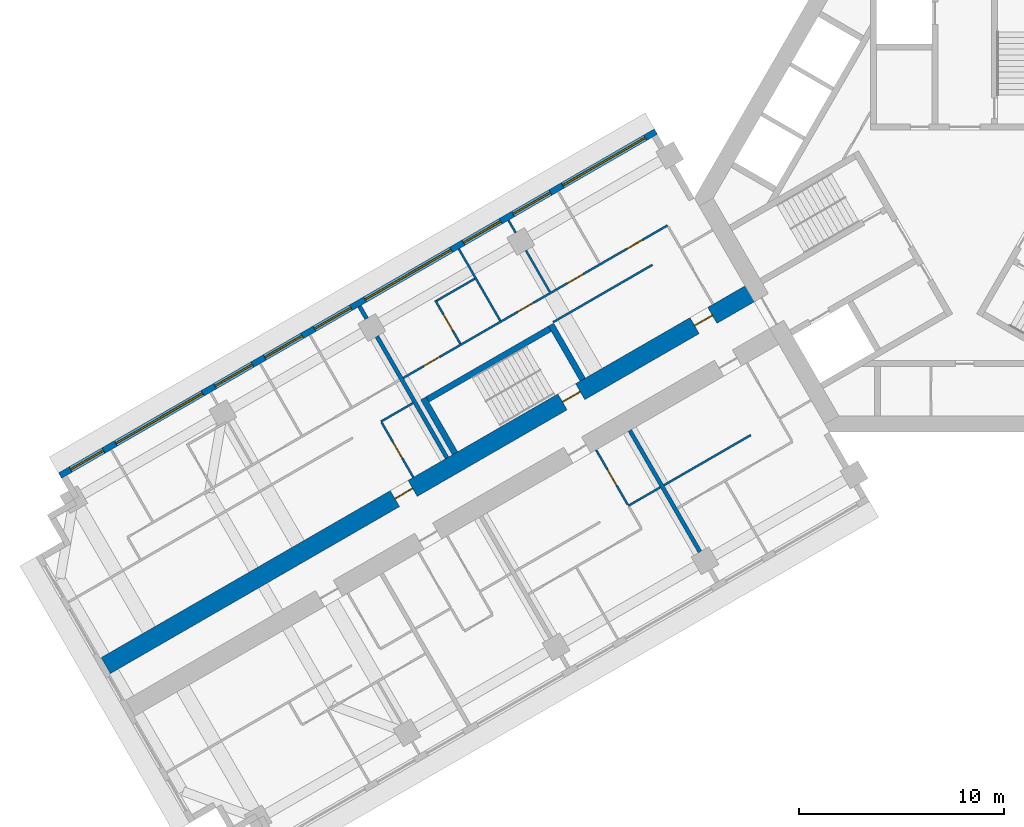
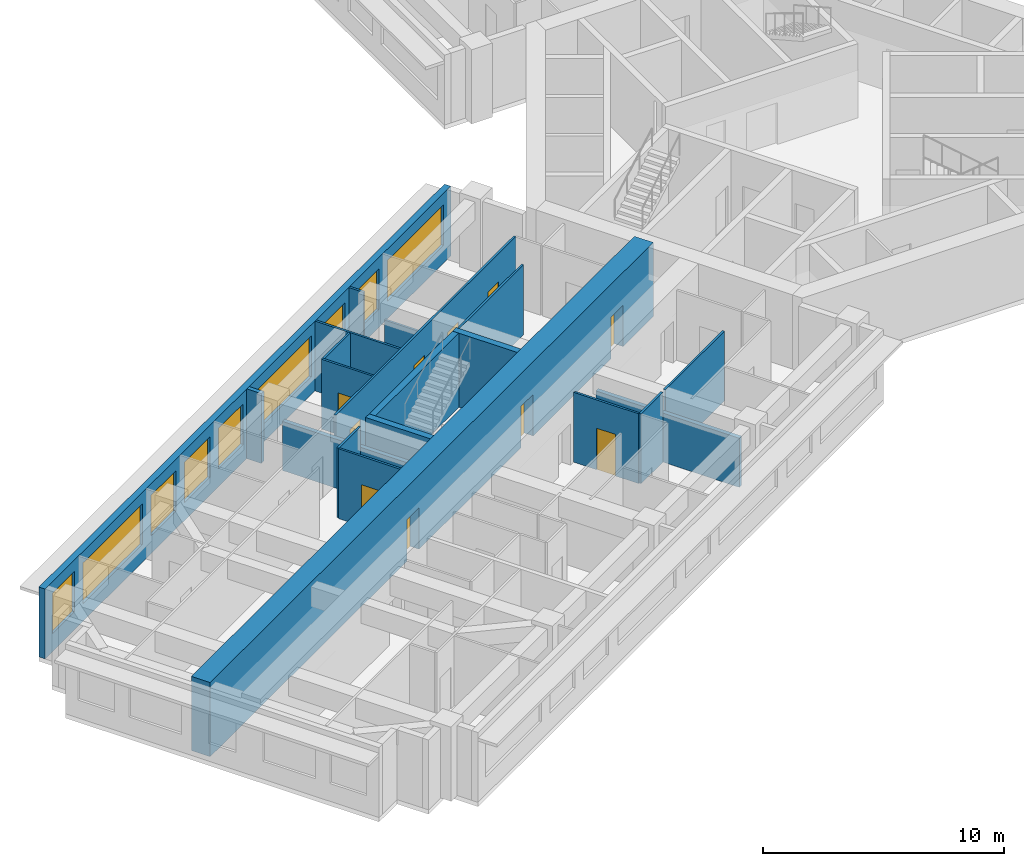
# One storey, part 5 of 14: 20 walls, 10 doors, 9 windows, 19 openings.
"""IFC4 building model written with IfcOpenShell, lengths in metres."""

from ifc_helpers import new_model, si_unit, direction, frame, frame_2d, origin, place, context, subcontext, project, spatial, rectangle, extrude, material, layer, layer_set, type_object, element, fill, save


model = new_model("IFC4")

# Units and contexts
model_context = context("Model", 3, precision=1e-05, world=origin(), true_north=direction((0.0, 1.0)))
body_context = subcontext(model_context, "Body", "Model", "MODEL_VIEW")
ifc_project = project(units=[si_unit("LENGTHUNIT", "METRE"), si_unit("AREAUNIT", "SQUARE_METRE"), si_unit("VOLUMEUNIT", "CUBIC_METRE"), si_unit("PLANEANGLEUNIT", "RADIAN"), si_unit("MASSUNIT", "GRAM", prefix="KILO")], contexts=[model_context])

# Site, building, storey
site_placement = place(None, origin())
site = spatial("IfcSite", under=ifc_project, at=site_placement, CompositionType="ELEMENT")
building_placement = place(site_placement, origin())
building = spatial("IfcBuilding", under=site, at=building_placement, Name="Impinga Residences", CompositionType="ELEMENT")
storey_placement = place(building_placement, frame((0.0, 0.0, 128.5)))
storey = spatial("IfcBuildingStorey", under=building, at=storey_placement, Name="L31", CompositionType="ELEMENT", Elevation=128.5)

# Wall, openings, doors
ifc_material_1 = material(Name="Concrete C60/75", Category="concrete")
ifc_layer_1 = layer(ifc_material_1, 0.89990234375)
ifc_layer_set_1 = layer_set([ifc_layer_1], Name="Concrete C60/75")
wall_type_1 = type_object("IfcWallType", Name="BW2 corridor buttress wall, L24 to L44 900", PredefinedType="SHEAR", material=ifc_layer_set_1)
wall_1_placement = place(storey_placement, frame((-10.153564453125, -4.4765625, 0.0), z_axis=(0.0, 0.0, 1.0), x_axis=(-0.866027614434, -0.499996171023, 0.0)))
wall_1 = element("IfcWall", 1, at=wall_1_placement, inside=storey, type_object=wall_type_1, Name="Corridor wall BW2 WD L31", PredefinedType="SHEAR", context=body_context, shape_type="SweptSolid", body=[
    extrude(rectangle(XDim=36.699951171875, YDim=0.89990234375, at=frame_2d((18.35009765625, 0.0))), origin(), (0.0, 0.0, 1.0), 3.75),
])
opening_1_placement = place(wall_1_placement, frame((9.949951171875, 0.0, 0.0)))
opening_1 = element("IfcOpeningElement", 2, at=opening_1_placement, cuts=wall_1, Name="Opening D5", PredefinedType="OPENING", context=body_context, shape_type="SweptSolid", body=[
    extrude(rectangle(XDim=1.0, YDim=2.10009765625, at=frame_2d((0.5, 1.050048828125))), frame((0.0, 0.4599609375, 0.0), z_axis=(0.0, -1.0, 0.0), x_axis=(1.0, 0.0, 0.0)), (0.0, 0.0, 1.0), 0.919921875),
])
opening_2_placement = place(wall_1_placement, frame((2.5, 0.0, 0.0)))
opening_2 = element("IfcOpeningElement", 3, at=opening_2_placement, cuts=wall_1, Name="Opening D1", PredefinedType="OPENING", context=body_context, shape_type="SweptSolid", body=[
    extrude(rectangle(XDim=1.0, YDim=2.10009765625, at=frame_2d((0.5, 1.050048828125))), frame((0.0, 0.4599609375, 0.0), z_axis=(0.0, -1.0, 0.0), x_axis=(1.0, 0.0, 0.0)), (0.0, 0.0, 1.0), 0.919921875),
])
opening_3_placement = place(wall_1_placement, frame((19.39990234375, 0.0, 0.0)))
opening_3 = element("IfcOpeningElement", 4, at=opening_3_placement, cuts=wall_1, Name="Opening D1", PredefinedType="OPENING", context=body_context, shape_type="SweptSolid", body=[
    extrude(rectangle(XDim=1.0, YDim=2.10009765625, at=frame_2d((0.5, 1.050048828125))), frame((0.0, 0.4599609375, 0.0), z_axis=(0.0, -1.0, 0.0), x_axis=(1.0, 0.0, 0.0)), (0.0, 0.0, 1.0), 0.919921875),
])
ifc_material_2 = material(Name="Timber door set", Category="wood")
door_type_1 = type_object("IfcDoorType", Name="D1 apartment entrance door 1000x2100", OperationType="SINGLE_SWING_LEFT", PredefinedType="DOOR", material=ifc_material_2)
door_1_placement = place(opening_2_placement, origin())
door_1 = element("IfcDoor", 5, at=door_1_placement, inside=storey, type_object=door_type_1, Name="Apartment L31-WF1 entrance", OperationType="SINGLE_SWING_LEFT", OverallHeight=2.10009765625, OverallWidth=1.0, PredefinedType="DOOR", context=body_context, shape_type="SweptSolid", body=[
    extrude(rectangle(XDim=1.0, YDim=2.10009765625, at=frame_2d((0.5, 1.050048828125))), frame((0.0, 0.02490234375, 0.0), z_axis=(0.0, -1.0, 0.0), x_axis=(1.0, 0.0, 0.0)), (0.0, 0.0, 1.0), 0.050048828125),
])
fill(opening_2, door_1)
door_2_placement = place(opening_3_placement, origin())
door_2 = element("IfcDoor", 6, at=door_2_placement, inside=storey, type_object=door_type_1, Name="Apartment L31-WF2 entrance", OperationType="SINGLE_SWING_RIGHT", OverallHeight=2.10009765625, OverallWidth=1.0, PredefinedType="DOOR", context=body_context, shape_type="SweptSolid", body=[
    extrude(rectangle(XDim=1.0, YDim=2.10009765625, at=frame_2d((0.5, 1.050048828125))), frame((0.0, 0.02490234375, 0.0), z_axis=(0.0, -1.0, 0.0), x_axis=(1.0, 0.0, 0.0)), (0.0, 0.0, 1.0), 0.050048828125),
])
fill(opening_3, door_2)
door_type_2 = type_object("IfcDoorType", Name="D5 stair door 1000x2100", OperationType="SINGLE_SWING_LEFT", PredefinedType="DOOR", material=ifc_material_2)
door_3_placement = place(opening_1_placement, origin())
door_3 = element("IfcDoor", 7, at=door_3_placement, inside=storey, type_object=door_type_2, Name="Wing stair door W", OperationType="SINGLE_SWING_LEFT", OverallHeight=2.10009765625, OverallWidth=1.0, PredefinedType="DOOR", context=body_context, shape_type="SweptSolid", body=[
    extrude(rectangle(XDim=1.0, YDim=2.10009765625, at=frame_2d((0.5, 1.050048828125))), frame((0.0, 0.02490234375, 0.0), z_axis=(0.0, -1.0, 0.0), x_axis=(1.0, 0.0, 0.0)), (0.0, 0.0, 1.0), 0.050048828125),
])
fill(opening_1, door_3)

# Wall, openings, windows
ifc_material_3 = material(Name="Terracotta rainscreen on blockwork", Category="masonry")
ifc_layer_2 = layer(ifc_material_3, 0.300048828125)
ifc_layer_set_2 = layer_set([ifc_layer_2], Name="EW1 external wall, terracotta rainscreen on blockwork 300")
wall_type_2 = type_object("IfcWallType", Name="EW1 external wall, terracotta rainscreen on blockwork 300", PredefinedType="SOLIDWALL", material=ifc_layer_set_2)
wall_2_placement = place(storey_placement, frame((-44.17333984375, -13.552490234375, 0.0), z_axis=(0.0, 0.0, 1.0), x_axis=(0.866024291668, 0.500001926238, 0.0)))
wall_2 = element("IfcWall", 8, at=wall_2_placement, inside=storey, type_object=wall_type_2, Name="External wall EW1 L31", PredefinedType="SOLIDWALL", context=body_context, shape_type="SweptSolid", body=[
    extrude(rectangle(XDim=33.599853515625, YDim=0.300048828125, at=frame_2d((16.7998046875, 0.0))), origin(), (0.0, 0.0, 1.0), 3.530029296875),
])
opening_4_placement = place(wall_2_placement, frame((0.60009765625, 0.0, 0.89990234375)))
opening_4 = element("IfcOpeningElement", 9, at=opening_4_placement, cuts=wall_2, Name="Opening W15", PredefinedType="OPENING", context=body_context, shape_type="SweptSolid", body=[
    extrude(rectangle(XDim=1.85009765625, YDim=2.050048828125, at=frame_2d((0.925048828125, 1.02490234375))), frame((0.0, 0.159912109375, 0.0), z_axis=(0.0, -1.0, 0.0), x_axis=(1.0, 0.0, 0.0)), (0.0, 0.0, 1.0), 0.320068359375),
])
opening_5_placement = place(wall_2_placement, frame((3.14990234375, 0.0, 0.89990234375)))
opening_5 = element("IfcOpeningElement", 10, at=opening_5_placement, cuts=wall_2, Name="Opening W16", PredefinedType="OPENING", context=body_context, shape_type="SweptSolid", body=[
    extrude(rectangle(XDim=4.89990234375, YDim=2.050048828125, at=frame_2d((2.449951171875, 1.02490234375))), frame((0.0, 0.159912109375, 0.0), z_axis=(0.0, -1.0, 0.0), x_axis=(1.0, 0.0, 0.0)), (0.0, 0.0, 1.0), 0.320068359375),
])
opening_6_placement = place(wall_2_placement, frame((8.75, 0.0, 0.89990234375)))
opening_6 = element("IfcOpeningElement", 11, at=opening_6_placement, cuts=wall_2, Name="Opening W9", PredefinedType="OPENING", context=body_context, shape_type="SweptSolid", body=[
    extrude(rectangle(XDim=2.10009765625, YDim=2.050048828125, at=frame_2d((1.050048828125, 1.02490234375))), frame((0.0, 0.159912109375, 0.0), z_axis=(0.0, -1.0, 0.0), x_axis=(1.0, 0.0, 0.0)), (0.0, 0.0, 1.0), 0.320068359375),
])
opening_7_placement = place(wall_2_placement, frame((11.550048828125, 0.0, 0.89990234375)))
opening_7 = element("IfcOpeningElement", 12, at=opening_7_placement, cuts=wall_2, Name="Opening W9", PredefinedType="OPENING", context=body_context, shape_type="SweptSolid", body=[
    extrude(rectangle(XDim=2.10009765625, YDim=2.050048828125, at=frame_2d((1.050048828125, 1.02490234375))), frame((0.0, 0.159912109375, 0.0), z_axis=(0.0, -1.0, 0.0), x_axis=(1.0, 0.0, 0.0)), (0.0, 0.0, 1.0), 0.320068359375),
])
opening_8_placement = place(wall_2_placement, frame((14.35009765625, 0.0, 0.89990234375)))
opening_8 = element("IfcOpeningElement", 13, at=opening_8_placement, cuts=wall_2, Name="Opening W14", PredefinedType="OPENING", context=body_context, shape_type="SweptSolid", body=[
    extrude(rectangle(XDim=2.050048828125, YDim=2.050048828125, at=frame_2d((1.02490234375, 1.02490234375))), frame((0.0, 0.159912109375, 0.0), z_axis=(0.0, -1.0, 0.0), x_axis=(1.0, 0.0, 0.0)), (0.0, 0.0, 1.0), 0.320068359375),
])
opening_9_placement = place(wall_2_placement, frame((17.199951171875, 0.0, 0.89990234375)))
opening_9 = element("IfcOpeningElement", 14, at=opening_9_placement, cuts=wall_2, Name="Opening W6", PredefinedType="OPENING", context=body_context, shape_type="SweptSolid", body=[
    extrude(rectangle(XDim=4.85009765625, YDim=2.050048828125, at=frame_2d((2.425048828125, 1.02490234375))), frame((0.0, 0.159912109375, 0.0), z_axis=(0.0, -1.0, 0.0), x_axis=(1.0, 0.0, 0.0)), (0.0, 0.0, 1.0), 0.320068359375),
])
opening_10_placement = place(wall_2_placement, frame((22.75, 0.0, 0.89990234375)))
opening_10 = element("IfcOpeningElement", 15, at=opening_10_placement, cuts=wall_2, Name="Opening W9", PredefinedType="OPENING", context=body_context, shape_type="SweptSolid", body=[
    extrude(rectangle(XDim=2.10009765625, YDim=2.050048828125, at=frame_2d((1.050048828125, 1.02490234375))), frame((0.0, 0.159912109375, 0.0), z_axis=(0.0, -1.0, 0.0), x_axis=(1.0, 0.0, 0.0)), (0.0, 0.0, 1.0), 0.320068359375),
])
opening_11_placement = place(wall_2_placement, frame((25.550048828125, 0.0, 0.89990234375)))
opening_11 = element("IfcOpeningElement", 16, at=opening_11_placement, cuts=wall_2, Name="Opening W9", PredefinedType="OPENING", context=body_context, shape_type="SweptSolid", body=[
    extrude(rectangle(XDim=2.10009765625, YDim=2.050048828125, at=frame_2d((1.050048828125, 1.02490234375))), frame((0.0, 0.159912109375, 0.0), z_axis=(0.0, -1.0, 0.0), x_axis=(1.0, 0.0, 0.0)), (0.0, 0.0, 1.0), 0.320068359375),
])
opening_12_placement = place(wall_2_placement, frame((28.35009765625, 0.0, 0.89990234375)))
opening_12 = element("IfcOpeningElement", 17, at=opening_12_placement, cuts=wall_2, Name="Opening W10", PredefinedType="OPENING", context=body_context, shape_type="SweptSolid", body=[
    extrude(rectangle(XDim=4.64990234375, YDim=2.050048828125, at=frame_2d((2.324951171875, 1.02490234375))), frame((0.0, 0.159912109375, 0.0), z_axis=(0.0, -1.0, 0.0), x_axis=(1.0, 0.0, 0.0)), (0.0, 0.0, 1.0), 0.320068359375),
])
ifc_material_4 = material(Name="Aluminium window, clear double glazing", Category="aluminium")
window_type_1 = type_object("IfcWindowType", Name="W10 ribbon window 4650x2050", PartitioningType="SINGLE_PANEL", PredefinedType="WINDOW", material=ifc_material_4)
window_1_placement = place(opening_12_placement, origin())
window_1 = element("IfcWindow", 18, at=window_1_placement, inside=storey, type_object=window_type_1, Name="Window L31", OverallHeight=2.050048828125, OverallWidth=4.64990234375, PartitioningType="SINGLE_PANEL", PredefinedType="WINDOW", context=body_context, shape_type="SweptSolid", body=[
    extrude(rectangle(XDim=4.64990234375, YDim=2.050048828125, at=frame_2d((2.324951171875, 1.02490234375))), frame((0.0, 0.030029296875, 0.0), z_axis=(0.0, -1.0, 0.0), x_axis=(1.0, 0.0, 0.0)), (0.0, 0.0, 1.0), 0.06005859375),
])
fill(opening_12, window_1)
window_type_2 = type_object("IfcWindowType", Name="W14 ribbon window 2050x2050", PartitioningType="SINGLE_PANEL", PredefinedType="WINDOW", material=ifc_material_4)
window_2_placement = place(opening_8_placement, origin())
window_2 = element("IfcWindow", 19, at=window_2_placement, inside=storey, type_object=window_type_2, Name="Window L31", OverallHeight=2.050048828125, OverallWidth=2.050048828125, PartitioningType="SINGLE_PANEL", PredefinedType="WINDOW", context=body_context, shape_type="SweptSolid", body=[
    extrude(rectangle(XDim=2.050048828125, YDim=2.050048828125, at=frame_2d((1.02490234375, 1.02490234375))), frame((0.0, 0.030029296875, 0.0), z_axis=(0.0, -1.0, 0.0), x_axis=(1.0, 0.0, 0.0)), (0.0, 0.0, 1.0), 0.06005859375),
])
fill(opening_8, window_2)
window_type_3 = type_object("IfcWindowType", Name="W15 ribbon window 1850x2050", PartitioningType="SINGLE_PANEL", PredefinedType="WINDOW", material=ifc_material_4)
window_3_placement = place(opening_4_placement, origin())
window_3 = element("IfcWindow", 20, at=window_3_placement, inside=storey, type_object=window_type_3, Name="Window L31", OverallHeight=2.050048828125, OverallWidth=1.85009765625, PartitioningType="SINGLE_PANEL", PredefinedType="WINDOW", context=body_context, shape_type="SweptSolid", body=[
    extrude(rectangle(XDim=1.85009765625, YDim=2.050048828125, at=frame_2d((0.925048828125, 1.02490234375))), frame((0.0, 0.030029296875, 0.0), z_axis=(0.0, -1.0, 0.0), x_axis=(1.0, 0.0, 0.0)), (0.0, 0.0, 1.0), 0.06005859375),
])
fill(opening_4, window_3)
window_type_4 = type_object("IfcWindowType", Name="W16 ribbon window 4900x2050", PartitioningType="SINGLE_PANEL", PredefinedType="WINDOW", material=ifc_material_4)
window_4_placement = place(opening_5_placement, origin())
window_4 = element("IfcWindow", 21, at=window_4_placement, inside=storey, type_object=window_type_4, Name="Window L31", OverallHeight=2.050048828125, OverallWidth=4.89990234375, PartitioningType="SINGLE_PANEL", PredefinedType="WINDOW", context=body_context, shape_type="SweptSolid", body=[
    extrude(rectangle(XDim=4.89990234375, YDim=2.050048828125, at=frame_2d((2.449951171875, 1.02490234375))), frame((0.0, 0.030029296875, 0.0), z_axis=(0.0, -1.0, 0.0), x_axis=(1.0, 0.0, 0.0)), (0.0, 0.0, 1.0), 0.06005859375),
])
fill(opening_5, window_4)
window_type_5 = type_object("IfcWindowType", Name="W6 ribbon window 4850x2050", PartitioningType="SINGLE_PANEL", PredefinedType="WINDOW", material=ifc_material_4)
window_5_placement = place(opening_9_placement, origin())
window_5 = element("IfcWindow", 22, at=window_5_placement, inside=storey, type_object=window_type_5, Name="Window L31", OverallHeight=2.050048828125, OverallWidth=4.85009765625, PartitioningType="SINGLE_PANEL", PredefinedType="WINDOW", context=body_context, shape_type="SweptSolid", body=[
    extrude(rectangle(XDim=4.85009765625, YDim=2.050048828125, at=frame_2d((2.425048828125, 1.02490234375))), frame((0.0, 0.030029296875, 0.0), z_axis=(0.0, -1.0, 0.0), x_axis=(1.0, 0.0, 0.0)), (0.0, 0.0, 1.0), 0.06005859375),
])
fill(opening_9, window_5)
window_type_6 = type_object("IfcWindowType", Name="W9 ribbon window 2100x2050", PartitioningType="SINGLE_PANEL", PredefinedType="WINDOW", material=ifc_material_4)
window_6_placement = place(opening_6_placement, origin())
window_6 = element("IfcWindow", 23, at=window_6_placement, inside=storey, type_object=window_type_6, Name="Window L31", OverallHeight=2.050048828125, OverallWidth=2.10009765625, PartitioningType="SINGLE_PANEL", PredefinedType="WINDOW", context=body_context, shape_type="SweptSolid", body=[
    extrude(rectangle(XDim=2.10009765625, YDim=2.050048828125, at=frame_2d((1.050048828125, 1.02490234375))), frame((0.0, 0.030029296875, 0.0), z_axis=(0.0, -1.0, 0.0), x_axis=(1.0, 0.0, 0.0)), (0.0, 0.0, 1.0), 0.06005859375),
])
fill(opening_6, window_6)
window_7_placement = place(opening_7_placement, origin())
window_7 = element("IfcWindow", 24, at=window_7_placement, inside=storey, type_object=window_type_6, Name="Window L31", OverallHeight=2.050048828125, OverallWidth=2.10009765625, PartitioningType="SINGLE_PANEL", PredefinedType="WINDOW", context=body_context, shape_type="SweptSolid", body=[
    extrude(rectangle(XDim=2.10009765625, YDim=2.050048828125, at=frame_2d((1.050048828125, 1.02490234375))), frame((0.0, 0.030029296875, 0.0), z_axis=(0.0, -1.0, 0.0), x_axis=(1.0, 0.0, 0.0)), (0.0, 0.0, 1.0), 0.06005859375),
])
fill(opening_7, window_7)
window_8_placement = place(opening_10_placement, origin())
window_8 = element("IfcWindow", 25, at=window_8_placement, inside=storey, type_object=window_type_6, Name="Window L31", OverallHeight=2.050048828125, OverallWidth=2.10009765625, PartitioningType="SINGLE_PANEL", PredefinedType="WINDOW", context=body_context, shape_type="SweptSolid", body=[
    extrude(rectangle(XDim=2.10009765625, YDim=2.050048828125, at=frame_2d((1.050048828125, 1.02490234375))), frame((0.0, 0.030029296875, 0.0), z_axis=(0.0, -1.0, 0.0), x_axis=(1.0, 0.0, 0.0)), (0.0, 0.0, 1.0), 0.06005859375),
])
fill(opening_10, window_8)
window_9_placement = place(opening_11_placement, origin())
window_9 = element("IfcWindow", 26, at=window_9_placement, inside=storey, type_object=window_type_6, Name="Window L31", OverallHeight=2.050048828125, OverallWidth=2.10009765625, PartitioningType="SINGLE_PANEL", PredefinedType="WINDOW", context=body_context, shape_type="SweptSolid", body=[
    extrude(rectangle(XDim=2.10009765625, YDim=2.050048828125, at=frame_2d((1.050048828125, 1.02490234375))), frame((0.0, 0.030029296875, 0.0), z_axis=(0.0, -1.0, 0.0), x_axis=(1.0, 0.0, 0.0)), (0.0, 0.0, 1.0), 0.06005859375),
])
fill(opening_11, window_9)

# Walls
ifc_material_5 = material(Name="Gypsum board on steel studs", Category="steel")
ifc_layer_3 = layer(ifc_material_5, 0.10009765625)
ifc_layer_set_3 = layer_set([ifc_layer_3], Name="Gypsum board on steel studs")
wall_type_3 = type_object("IfcWallType", Name="IP1 partition 100", PredefinedType="PARTITIONING", material=ifc_layer_set_3)
wall_3_placement = place(storey_placement, frame((-10.444580078125, -11.57275390625, 0.0), z_axis=(0.0, 0.0, 1.0), x_axis=(-0.866023786258, -0.500002801628, 0.0)))
element("IfcWall", 27, at=wall_3_placement, inside=storey, type_object=wall_type_3, Name="Partition L31-WA1:DIV1", PredefinedType="PARTITIONING", context=body_context, shape_type="SweptSolid", body=[
    extrude(rectangle(XDim=4.89990234375, YDim=0.10009765625, at=frame_2d((2.449951171875, 0.0))), origin(), (0.0, 0.0, 1.0), 3.530029296875),
])
wall_4_placement = place(storey_placement, frame((-14.861328125, -14.122802734375, 0.0), z_axis=(0.0, 0.0, 1.0), x_axis=(-0.866047807691, -0.499961193289, 0.0)))
element("IfcWall", 28, at=wall_4_placement, inside=storey, type_object=wall_type_3, Name="Partition L31-WA2:DIV0", PredefinedType="PARTITIONING", context=body_context, shape_type="SweptSolid", body=[
    extrude(rectangle(XDim=1.800048828125, YDim=0.10009765625, at=frame_2d((0.89990234375, 0.0))), origin(), (0.0, 0.0, 1.0), 3.530029296875),
])

# Wall, opening, door
wall_5_placement = place(storey_placement, frame((-17.9951171875, -12.294677734375, 0.0), z_axis=(0.0, 0.0, 1.0), x_axis=(0.49999285859, -0.86602952684, 0.0)))
wall_5 = element("IfcWall", 29, at=wall_5_placement, inside=storey, type_object=wall_type_3, Name="Partition L31-WA2:IB1", PredefinedType="PARTITIONING", context=body_context, shape_type="SweptSolid", body=[
    extrude(rectangle(XDim=3.10009765625, YDim=0.10009765625, at=frame_2d((1.550048828125, 0.0))), origin(), (0.0, 0.0, 1.0), 3.530029296875),
])
opening_13_placement = place(wall_5_placement, frame((1.10009765625, 0.0, 0.0)))
opening_13 = element("IfcOpeningElement", 30, at=opening_13_placement, cuts=wall_5, Name="Opening D2", PredefinedType="OPENING", context=body_context, shape_type="SweptSolid", body=[
    extrude(rectangle(XDim=0.89990234375, YDim=2.10009765625, at=frame_2d((0.449951171875, 1.050048828125))), frame((0.0, 0.06005859375, 0.0), z_axis=(0.0, -1.0, 0.0), x_axis=(1.0, 0.0, 0.0)), (0.0, 0.0, 1.0), 0.1201171875),
])
door_type_3 = type_object("IfcDoorType", Name="D2 internal door 900x2100", OperationType="SINGLE_SWING_LEFT", PredefinedType="DOOR", material=ifc_material_2)
door_4_placement = place(opening_13_placement, origin())
door_4 = element("IfcDoor", 31, at=door_4_placement, inside=storey, type_object=door_type_3, Name="Apartment L31-WA2 bathroom door", OperationType="SINGLE_SWING_LEFT", OverallHeight=2.10009765625, OverallWidth=0.89990234375, PredefinedType="DOOR", context=body_context, shape_type="SweptSolid", body=[
    extrude(rectangle(XDim=0.89990234375, YDim=2.10009765625, at=frame_2d((0.449951171875, 1.050048828125))), frame((0.0, 0.02490234375, 0.0), z_axis=(0.0, -1.0, 0.0), x_axis=(1.0, 0.0, 0.0)), (0.0, 0.0, 1.0), 0.050048828125),
])
fill(opening_13, door_4)

# Wall
wall_6_placement = place(storey_placement, frame((-15.244384765625, -3.2587890625, 0.0), z_axis=(0.0, 0.0, 1.0), x_axis=(-0.866026594901, -0.49999793692, 0.0)))
element("IfcWall", 32, at=wall_6_placement, inside=storey, type_object=wall_type_3, Name="Partition L31-WF1:DIV1", PredefinedType="PARTITIONING", context=body_context, shape_type="SweptSolid", body=[
    extrude(rectangle(XDim=5.60009765625, YDim=0.10009765625, at=frame_2d((2.800048828125, 0.0))), origin(), (0.0, 0.0, 1.0), 3.530029296875),
])

# Wall, openings, doors
wall_7_placement = place(storey_placement, frame((-14.5087890625, -1.3330078125, 0.0), z_axis=(0.0, 0.0, 1.0), x_axis=(-0.866027327438, -0.499996668119, 0.0)))
wall_7 = element("IfcWall", 33, at=wall_7_placement, inside=storey, type_object=wall_type_3, Name="Partition L31-WF1:STRIP", PredefinedType="PARTITIONING", context=body_context, shape_type="SweptSolid", body=[
    extrude(rectangle(XDim=14.89990234375, YDim=0.10009765625, at=frame_2d((7.449951171875, 0.0))), origin(), (0.0, 0.0, 1.0), 3.530029296875),
])
opening_14_placement = place(wall_7_placement, frame((1.425048828125, 0.0, 0.0)))
opening_14 = element("IfcOpeningElement", 34, at=opening_14_placement, cuts=wall_7, Name="Opening D2", PredefinedType="OPENING", context=body_context, shape_type="SweptSolid", body=[
    extrude(rectangle(XDim=0.89990234375, YDim=2.10009765625, at=frame_2d((0.449951171875, 1.050048828125))), frame((0.0, 0.06005859375, 0.0), z_axis=(0.0, -1.0, 0.0), x_axis=(1.0, 0.0, 0.0)), (0.0, 0.0, 1.0), 0.1201171875),
])
opening_15_placement = place(wall_7_placement, frame((4.75, 0.0, 0.0)))
opening_15 = element("IfcOpeningElement", 35, at=opening_15_placement, cuts=wall_7, Name="Opening D2", PredefinedType="OPENING", context=body_context, shape_type="SweptSolid", body=[
    extrude(rectangle(XDim=0.89990234375, YDim=2.10009765625, at=frame_2d((0.449951171875, 1.050048828125))), frame((0.0, 0.06005859375, 0.0), z_axis=(0.0, -1.0, 0.0), x_axis=(1.0, 0.0, 0.0)), (0.0, 0.0, 1.0), 0.1201171875),
])
opening_16_placement = place(wall_7_placement, frame((7.550048828125, 0.0, 0.0)))
opening_16 = element("IfcOpeningElement", 36, at=opening_16_placement, cuts=wall_7, Name="Opening D2", PredefinedType="OPENING", context=body_context, shape_type="SweptSolid", body=[
    extrude(rectangle(XDim=0.89990234375, YDim=2.10009765625, at=frame_2d((0.449951171875, 1.050048828125))), frame((0.0, 0.06005859375, 0.0), z_axis=(0.0, -1.0, 0.0), x_axis=(1.0, 0.0, 0.0)), (0.0, 0.0, 1.0), 0.1201171875),
])
opening_17_placement = place(wall_7_placement, frame((12.85009765625, 0.0, 0.0)))
opening_17 = element("IfcOpeningElement", 37, at=opening_17_placement, cuts=wall_7, Name="Opening D2", PredefinedType="OPENING", context=body_context, shape_type="SweptSolid", body=[
    extrude(rectangle(XDim=0.89990234375, YDim=2.10009765625, at=frame_2d((0.449951171875, 1.050048828125))), frame((0.0, 0.06005859375, 0.0), z_axis=(0.0, -1.0, 0.0), x_axis=(1.0, 0.0, 0.0)), (0.0, 0.0, 1.0), 0.1201171875),
])
door_5_placement = place(opening_14_placement, origin())
door_5 = element("IfcDoor", 38, at=door_5_placement, inside=storey, type_object=door_type_3, Name="Apartment L31-WF1 room door", OperationType="SINGLE_SWING_LEFT", OverallHeight=2.10009765625, OverallWidth=0.89990234375, PredefinedType="DOOR", context=body_context, shape_type="SweptSolid", body=[
    extrude(rectangle(XDim=0.89990234375, YDim=2.10009765625, at=frame_2d((0.449951171875, 1.050048828125))), frame((0.0, 0.02490234375, 0.0), z_axis=(0.0, -1.0, 0.0), x_axis=(1.0, 0.0, 0.0)), (0.0, 0.0, 1.0), 0.050048828125),
])
fill(opening_14, door_5)
door_6_placement = place(opening_15_placement, origin())
door_6 = element("IfcDoor", 39, at=door_6_placement, inside=storey, type_object=door_type_3, Name="Apartment L31-WF1 room door", OperationType="SINGLE_SWING_LEFT", OverallHeight=2.10009765625, OverallWidth=0.89990234375, PredefinedType="DOOR", context=body_context, shape_type="SweptSolid", body=[
    extrude(rectangle(XDim=0.89990234375, YDim=2.10009765625, at=frame_2d((0.449951171875, 1.050048828125))), frame((0.0, 0.02490234375, 0.0), z_axis=(0.0, -1.0, 0.0), x_axis=(1.0, 0.0, 0.0)), (0.0, 0.0, 1.0), 0.050048828125),
])
fill(opening_15, door_6)
door_7_placement = place(opening_16_placement, origin())
door_7 = element("IfcDoor", 40, at=door_7_placement, inside=storey, type_object=door_type_3, Name="Apartment L31-WF1 room door", OperationType="SINGLE_SWING_RIGHT", OverallHeight=2.10009765625, OverallWidth=0.89990234375, PredefinedType="DOOR", context=body_context, shape_type="SweptSolid", body=[
    extrude(rectangle(XDim=0.89990234375, YDim=2.10009765625, at=frame_2d((0.449951171875, 1.050048828125))), frame((0.0, 0.02490234375, 0.0), z_axis=(0.0, -1.0, 0.0), x_axis=(1.0, 0.0, 0.0)), (0.0, 0.0, 1.0), 0.050048828125),
])
fill(opening_16, door_7)
door_8_placement = place(opening_17_placement, origin())
door_8 = element("IfcDoor", 41, at=door_8_placement, inside=storey, type_object=door_type_3, Name="Apartment L31-WF1 room door", OperationType="SINGLE_SWING_RIGHT", OverallHeight=2.10009765625, OverallWidth=0.89990234375, PredefinedType="DOOR", context=body_context, shape_type="SweptSolid", body=[
    extrude(rectangle(XDim=0.89990234375, YDim=2.10009765625, at=frame_2d((0.449951171875, 1.050048828125))), frame((0.0, 0.02490234375, 0.0), z_axis=(0.0, -1.0, 0.0), x_axis=(1.0, 0.0, 0.0)), (0.0, 0.0, 1.0), 0.050048828125),
])
fill(opening_17, door_8)

# Walls
wall_8_placement = place(storey_placement, frame((-20.24951171875, -4.589599609375, 0.0), z_axis=(0.0, 0.0, 1.0), x_axis=(-0.500016218704, 0.866016039709, 0.0)))
element("IfcWall", 42, at=wall_8_placement, inside=storey, type_object=wall_type_3, Name="Partition L31-WF1:OB2", PredefinedType="PARTITIONING", context=body_context, shape_type="SweptSolid", body=[
    extrude(rectangle(XDim=2.35009765625, YDim=0.10009765625, at=frame_2d((1.175048828125, 0.0))), origin(), (0.0, 0.0, 1.0), 2.47998046875),
])
wall_9_placement = place(storey_placement, frame((-21.924560546875, -1.6884765625, 0.0), z_axis=(0.0, 0.0, 1.0), x_axis=(-0.500114896893, 0.865959057869, 0.0)))
element("IfcWall", 43, at=wall_9_placement, inside=storey, type_object=wall_type_3, Name="Partition L31-WF1:OB2b", PredefinedType="PARTITIONING", context=body_context, shape_type="SweptSolid", body=[
    extrude(rectangle(XDim=0.699951171875, YDim=0.10009765625, at=frame_2d((0.35009765625, 0.0))), origin(), (0.0, 0.0, 1.0), 3.530029296875),
])
wall_10_placement = place(storey_placement, frame((-22.674560546875, -5.98974609375, 0.0), z_axis=(0.0, 0.0, 1.0), x_axis=(-0.499990325971, 0.866030989016, 0.0)))
element("IfcWall", 44, at=wall_10_placement, inside=storey, type_object=wall_type_3, Name="Partition L31-WF1:OB3", PredefinedType="PARTITIONING", context=body_context, shape_type="SweptSolid", body=[
    extrude(rectangle(XDim=4.0498046875, YDim=0.10009765625, at=frame_2d((2.02490234375, 0.0))), origin(), (0.0, 0.0, 1.0), 3.530029296875),
])

# Wall, opening, door
wall_11_placement = place(storey_placement, frame((-24.623046875, -7.11474609375, 0.0), z_axis=(0.0, 0.0, 1.0), x_axis=(-0.500018594424, 0.866014668023, 0.0)))
wall_11 = element("IfcWall", 45, at=wall_11_placement, inside=storey, type_object=wall_type_3, Name="Partition L31-WF1:EN1", PredefinedType="PARTITIONING", context=body_context, shape_type="SweptSolid", body=[
    extrude(rectangle(XDim=2.4501953125, YDim=0.10009765625, at=frame_2d((1.22509765625, 0.0))), origin(), (0.0, 0.0, 1.0), 3.530029296875),
])
opening_18_placement = place(wall_11_placement, frame((0.75, 0.0, 0.0)))
opening_18 = element("IfcOpeningElement", 46, at=opening_18_placement, cuts=wall_11, Name="Opening D2", PredefinedType="OPENING", context=body_context, shape_type="SweptSolid", body=[
    extrude(rectangle(XDim=0.89990234375, YDim=2.10009765625, at=frame_2d((0.449951171875, 1.050048828125))), frame((0.0, 0.06005859375, 0.0), z_axis=(0.0, -1.0, 0.0), x_axis=(1.0, 0.0, 0.0)), (0.0, 0.0, 1.0), 0.1201171875),
])
door_9_placement = place(opening_18_placement, origin())
door_9 = element("IfcDoor", 47, at=door_9_placement, inside=storey, type_object=door_type_3, Name="Apartment L31-WF1 en-suite door", OperationType="SINGLE_SWING_LEFT", OverallHeight=2.10009765625, OverallWidth=0.89990234375, PredefinedType="DOOR", context=body_context, shape_type="SweptSolid", body=[
    extrude(rectangle(XDim=0.89990234375, YDim=2.10009765625, at=frame_2d((0.449951171875, 1.050048828125))), frame((0.0, 0.02490234375, 0.0), z_axis=(0.0, -1.0, 0.0), x_axis=(1.0, 0.0, 0.0)), (0.0, 0.0, 1.0), 0.050048828125),
])
fill(opening_18, door_9)

# Walls
wall_12_placement = place(storey_placement, frame((-23.917724609375, -3.936279296875, 0.0), z_axis=(0.0, 0.0, 1.0), x_axis=(-0.866047553582, -0.499961633463, 0.0)))
element("IfcWall", 48, at=wall_12_placement, inside=storey, type_object=wall_type_3, Name="Partition L31-WF1:EN2", PredefinedType="PARTITIONING", context=body_context, shape_type="SweptSolid", body=[
    extrude(rectangle(XDim=2.150146484375, YDim=0.10009765625, at=frame_2d((1.0751953125, 0.0))), origin(), (0.0, 0.0, 1.0), 3.530029296875),
])
wall_13_placement = place(storey_placement, frame((-26.935791015625, -10.0087890625, 0.0), z_axis=(0.0, 0.0, 1.0), x_axis=(-0.865989075817, -0.500062916607, 0.0)))
element("IfcWall", 49, at=wall_13_placement, inside=storey, type_object=wall_type_3, Name="Partition L31-WF2:DIV0", PredefinedType="PARTITIONING", context=body_context, shape_type="SweptSolid", body=[
    extrude(rectangle(XDim=1.800048828125, YDim=0.10009765625, at=frame_2d((0.89990234375, 0.0))), origin(), (0.0, 0.0, 1.0), 3.530029296875),
])

# Wall, opening, door
wall_14_placement = place(storey_placement, frame((-26.919677734375, -13.63671875, 0.0), z_axis=(0.0, 0.0, 1.0), x_axis=(-0.500026960575, 0.86600983753, 0.0)))
wall_14 = element("IfcWall", 50, at=wall_14_placement, inside=storey, type_object=wall_type_3, Name="Partition L31-WF2:IB1", PredefinedType="PARTITIONING", context=body_context, shape_type="SweptSolid", body=[
    extrude(rectangle(XDim=3.099853515625, YDim=0.10009765625, at=frame_2d((1.5498046875, 0.0))), origin(), (0.0, 0.0, 1.0), 3.530029296875),
])
opening_19_placement = place(wall_14_placement, frame((1.10009765625, 0.0, 0.0)))
opening_19 = element("IfcOpeningElement", 51, at=opening_19_placement, cuts=wall_14, Name="Opening D2", PredefinedType="OPENING", context=body_context, shape_type="SweptSolid", body=[
    extrude(rectangle(XDim=0.89990234375, YDim=2.10009765625, at=frame_2d((0.449951171875, 1.050048828125))), frame((0.0, 0.06005859375, 0.0), z_axis=(0.0, -1.0, 0.0), x_axis=(1.0, 0.0, 0.0)), (0.0, 0.0, 1.0), 0.1201171875),
])
door_10_placement = place(opening_19_placement, origin())
door_10 = element("IfcDoor", 52, at=door_10_placement, inside=storey, type_object=door_type_3, Name="Apartment L31-WF2 bathroom door", OperationType="SINGLE_SWING_LEFT", OverallHeight=2.10009765625, OverallWidth=0.89990234375, PredefinedType="DOOR", context=body_context, shape_type="SweptSolid", body=[
    extrude(rectangle(XDim=0.89990234375, YDim=2.10009765625, at=frame_2d((0.449951171875, 1.050048828125))), frame((0.0, 0.02490234375, 0.0), z_axis=(0.0, -1.0, 0.0), x_axis=(1.0, 0.0, 0.0)), (0.0, 0.0, 1.0), 0.050048828125),
])
fill(opening_19, door_10)

# Walls
ifc_material_6 = material(Name="Concrete blockwork", Category="masonry")
ifc_layer_4 = layer(ifc_material_6, 0.199951171875)
ifc_layer_set_4 = layer_set([ifc_layer_4], Name="PW1 party wall between apartments 200")
wall_type_4 = type_object("IfcWallType", Name="PW1 party wall between apartments 200", PredefinedType="SOLIDWALL", material=ifc_layer_set_4)
wall_15_placement = place(storey_placement, frame((-16.349609375, -11.3447265625, 0.0), z_axis=(0.0, 0.0, 1.0), x_axis=(0.499999086063, -0.866025931445, 0.0)))
element("IfcWall", 53, at=wall_15_placement, inside=storey, type_object=wall_type_4, Name="Party wall between apartments L31-WA1:PARTY", PredefinedType="SOLIDWALL", context=body_context, shape_type="SweptSolid", body=[
    extrude(rectangle(XDim=6.85009765625, YDim=0.199951171875, at=frame_2d((3.425048828125, 0.0))), origin(), (0.0, 0.0, 1.0), 2.47998046875),
])
wall_16_placement = place(storey_placement, frame((-25.274169921875, -12.686767578125, 0.0), z_axis=(0.0, 0.0, 1.0), x_axis=(-0.500014519185, 0.866017020967, 0.0)))
element("IfcWall", 54, at=wall_16_placement, inside=storey, type_object=wall_type_4, Name="Party wall between apartments L31-WF1:PARTY", PredefinedType="SOLIDWALL", context=body_context, shape_type="SweptSolid", body=[
    extrude(rectangle(XDim=6.849853515625, YDim=0.199951171875, at=frame_2d((3.4248046875, 0.0))), origin(), (0.0, 0.0, 1.0), 2.47998046875),
])
wall_17_placement = place(storey_placement, frame((-29.19921875, -5.888427734375, 0.0), z_axis=(0.0, 0.0, 1.0), x_axis=(-0.500114896893, 0.865959057869, 0.0)))
element("IfcWall", 55, at=wall_17_placement, inside=storey, type_object=wall_type_4, Name="Party wall between apartments L31-WF1:PARTYb", PredefinedType="SOLIDWALL", context=body_context, shape_type="SweptSolid", body=[
    extrude(rectangle(XDim=0.699951171875, YDim=0.199951171875, at=frame_2d((0.35009765625, 0.0))), origin(), (0.0, 0.0, 1.0), 3.530029296875),
])
ifc_layer_5 = layer(ifc_material_1, 0.300048828125)
ifc_layer_set_5 = layer_set([ifc_layer_5], Name="Concrete C60/75")
wall_type_5 = type_object("IfcWallType", Name="SE1 wing stair enclosure wall 300", PredefinedType="SOLIDWALL", material=ifc_layer_set_5)
wall_18_placement = place(storey_placement, frame((-18.649169921875, -8.86181640625, 0.0), z_axis=(0.0, 0.0, 1.0), x_axis=(-0.500026960575, 0.86600983753, 0.0)))
element("IfcWall", 56, at=wall_18_placement, inside=storey, type_object=wall_type_5, Name="Stair enclosure wall SE1 W END0 L31", PredefinedType="SOLIDWALL", context=body_context, shape_type="SweptSolid", body=[
    extrude(rectangle(XDim=3.099853515625, YDim=0.300048828125, at=frame_2d((1.5498046875, 0.0))), origin(), (0.0, 0.0, 1.0), 3.75),
])
wall_19_placement = place(storey_placement, frame((-24.884521484375, -12.4619140625, 0.0), z_axis=(0.0, 0.0, 1.0), x_axis=(-0.49999285859, 0.86602952684, 0.0)))
element("IfcWall", 57, at=wall_19_placement, inside=storey, type_object=wall_type_5, Name="Stair enclosure wall SE1 W END1 L31", PredefinedType="SOLIDWALL", context=body_context, shape_type="SweptSolid", body=[
    extrude(rectangle(XDim=3.10009765625, YDim=0.300048828125, at=frame_2d((1.550048828125, 0.0))), origin(), (0.0, 0.0, 1.0), 3.75),
])
wall_20_placement = place(storey_placement, frame((-20.254150390625, -6.382080078125, 0.0), z_axis=(0.0, 0.0, 1.0), x_axis=(-0.866020008033, -0.500009345598, 0.0)))
element("IfcWall", 58, at=wall_20_placement, inside=storey, type_object=wall_type_5, Name="Stair enclosure wall SE1 W OUT L31", PredefinedType="SOLIDWALL", context=body_context, shape_type="SweptSolid", body=[
    extrude(rectangle(XDim=6.899658203125, YDim=0.300048828125, at=frame_2d((3.44970703125, 0.0))), origin(), (0.0, 0.0, 1.0), 3.75),
])

save(model, "model.ifc")
